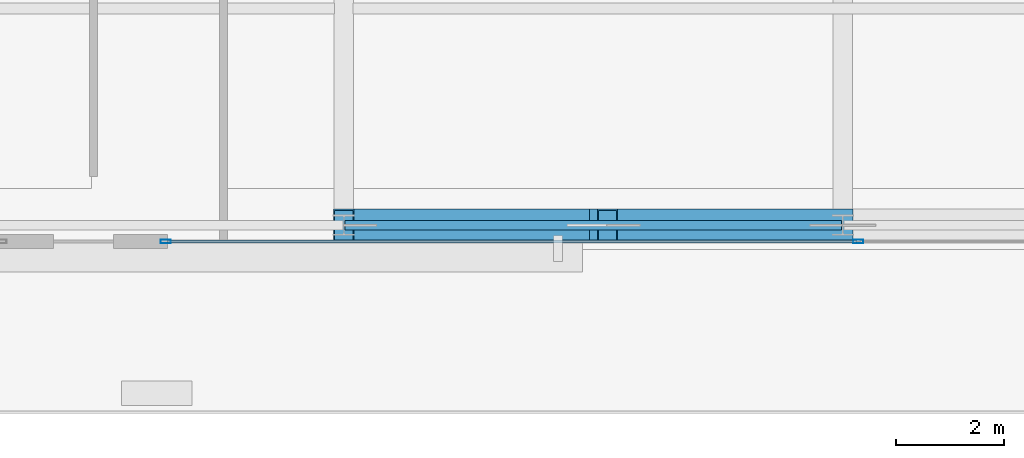
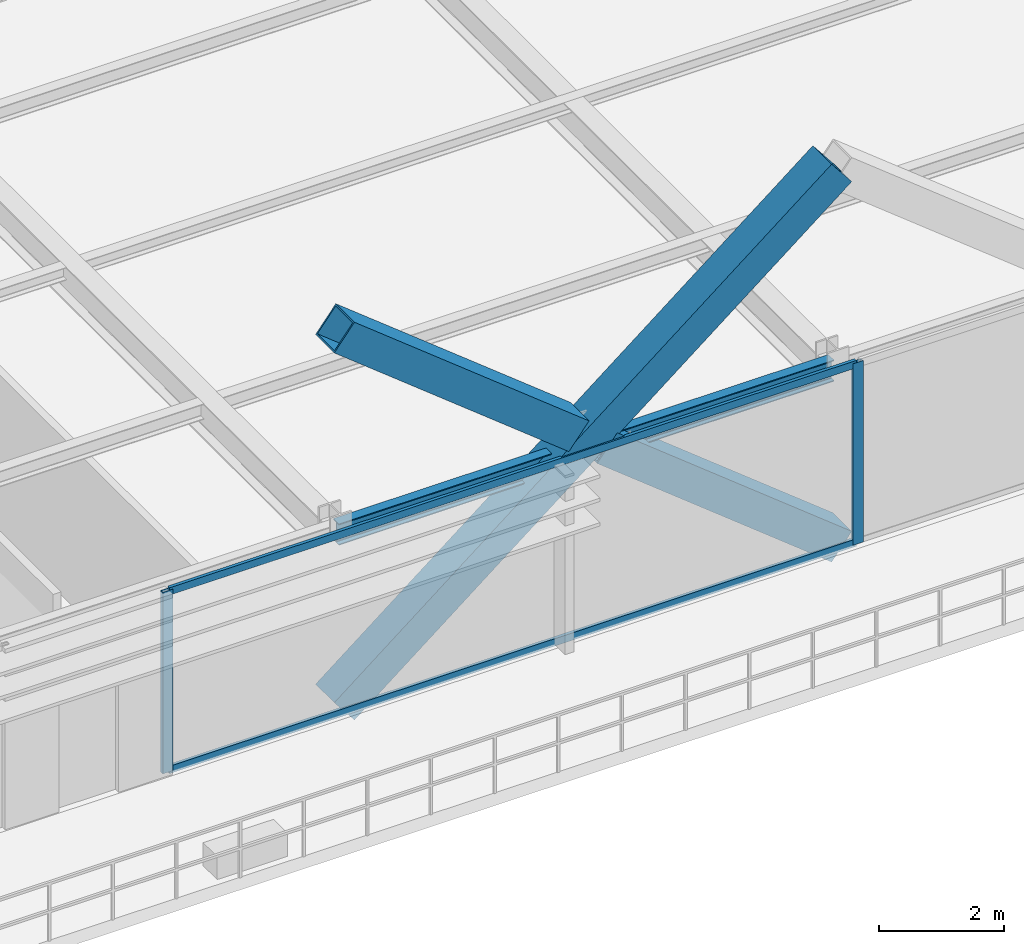
# One storey, part 6 of 35: 7 members, 1 beam, 1 element without a shape of its own.
"""IFC4 building model written with IfcOpenShell, lengths in metres."""

from ifc_helpers import new_model, si_unit, direction, frame, origin, origin_2d, place, context, subcontext, project, spatial, hollow_rectangle, i_section, extrude, source, transform, mapped, material, layer, layer_set, material_profile, profile_set, type_object, type_shapes, element, aggregate, save


model = new_model("IFC4")

# Units and contexts
model_context = context("Model", 3, precision=1e-05, world=origin(), true_north=direction((0.0, 1.0)))
body_context = subcontext(model_context, "Body", "Model", "MODEL_VIEW")
ifc_project = project(units=[si_unit("LENGTHUNIT", "METRE"), si_unit("AREAUNIT", "SQUARE_METRE"), si_unit("VOLUMEUNIT", "CUBIC_METRE"), si_unit("PLANEANGLEUNIT", "RADIAN"), si_unit("MASSUNIT", "GRAM", prefix="KILO")], contexts=[model_context])

# Site, building, storey
site_placement = place(None, origin())
site = spatial("IfcSite", under=ifc_project, at=site_placement, CompositionType="ELEMENT")
building_placement = place(site_placement, origin())
building = spatial("IfcBuilding", under=site, at=building_placement, Name="Varnel Quay Broadcast Tower", CompositionType="ELEMENT")
storey_placement = place(building_placement, frame((0.0, 0.0, 87.0)))
storey = spatial("IfcBuildingStorey", under=building, at=storey_placement, Name="L20", CompositionType="ELEMENT", Elevation=87.0)

# Beam
ifc_material_1 = material(Name="Structural Steel CSA G40.21 350W", Category="steel")
ifc_material_profile_1 = material_profile(ifc_material_1, i_section(OverallWidth=0.180908203125, OverallDepth=0.4169921875, WebThickness=0.010986328125, FlangeThickness=0.018310546875, FilletRadius=0.011962890625, at=origin_2d()), Name="W410X85")
ifc_profile_set_1 = profile_set([ifc_material_profile_1], Name="Structural Steel CSA G40.21 350W")
beam_type = type_object("IfcBeamType", Name="Beam_W410X85", PredefinedType="SPANDREL", material=ifc_profile_set_1)
shared_shape_1 = source(origin(), body_context, "Body", "SweptSolid", [
    extrude(i_section(OverallWidth=0.180908203125, OverallDepth=0.4169921875, WebThickness=0.010986328125, FlangeThickness=0.018310546875, FilletRadius=0.011962890625, at=origin_2d()), origin(), (0.0, 0.0, 1.0), 9.159912109375),
])
type_shapes(beam_type, [shared_shape_1])
beam_placement = place(storey_placement, frame((24.820068359375, 4.64990234375, 3.341552734375), z_axis=(1.0, 0.0, 0.0), x_axis=(0.0, 1.0, 0.0)))
element("IfcBeam", 1, at=beam_placement, inside=storey, type_object=beam_type, Name="L20 South Spandrel TC-S2-TC-S3", PredefinedType="SPANDREL", context=body_context, shape_type="MappedRepresentation", body=[
    mapped(shared_shape_1, transform((0.0, 0.0, 0.0), x_axis=(1.0, 0.0, 0.0), y_axis=(0.0, 1.0, 0.0), z_axis=(0.0, 0.0, 1.0), scale=1.0)),
])

# Members
ifc_material_2 = material(Name="Structural Steel CSA G40.21 350WT", Category="steel")
ifc_material_profile_2 = material_profile(ifc_material_2, hollow_rectangle(XDim=0.60009765625, YDim=0.60009765625, WallThickness=0.028076171875, at=origin_2d()), Name="BOX600X600X28")
ifc_profile_set_2 = profile_set([ifc_material_profile_2], Name="Structural Steel CSA G40.21 350WT")
member_type_1 = type_object("IfcMemberType", Name="Brace_BOX600X600X28", PredefinedType="BRACE", material=ifc_profile_set_2)
shared_shape_2 = source(origin(), body_context, "Body", "SweptSolid", [
    extrude(hollow_rectangle(XDim=0.60009765625, YDim=0.60009765625, WallThickness=0.028076171875, at=origin_2d()), origin(), (0.0, 0.0, 1.0), 11.75048828125),
])
member_1_placement = place(storey_placement, frame((24.800048828125, 4.64990234375, 0.02001953125), z_axis=(0.782936125262, 0.0, 0.622102100751), x_axis=(0.0, 1.0, 0.0)))
element("IfcMember", 2, at=member_1_placement, inside=storey, type_object=member_type_1, Name="Zone 2 Mega-Brace S-C1T1 Continuous Diag A", PredefinedType="BRACE", context=body_context, shape_type="MappedRepresentation", body=[
    mapped(shared_shape_2, transform((0.0, 0.0, 0.0), x_axis=(1.0, 0.0, 0.0), y_axis=(0.0, 1.0, 0.0), z_axis=(0.0, 0.0, 1.0), scale=1.0)),
])
shared_shape_3 = source(origin(), body_context, "Body", "SweptSolid", [
    extrude(hollow_rectangle(XDim=0.60009765625, YDim=0.60009765625, WallThickness=0.028076171875, at=origin_2d()), origin(), (0.0, 0.0, 1.0), 5.542236328125),
])
member_2_placement = place(storey_placement, frame((34.0, 4.64990234375, 0.02001953125), z_axis=(-0.782953081891, 0.0, 0.622080759675), x_axis=(0.0, -1.0, 0.0)))
element("IfcMember", 3, at=member_2_placement, inside=storey, type_object=member_type_1, Name="Zone 2 Mega-Brace S-C1T1 Split Diag B1", PredefinedType="BRACE", context=body_context, shape_type="MappedRepresentation", body=[
    mapped(shared_shape_3, transform((0.0, 0.0, 0.0), x_axis=(1.0, 0.0, 0.0), y_axis=(0.0, 1.0, 0.0), z_axis=(0.0, 0.0, 1.0), scale=1.0)),
])
shared_shape_4 = source(origin(), body_context, "Body", "SweptSolid", [
    extrude(hollow_rectangle(XDim=0.60009765625, YDim=0.60009765625, WallThickness=0.028076171875, at=origin_2d()), origin(), (0.0, 0.0, 1.0), 5.54248046875),
])
type_shapes(member_type_1, [shared_shape_2, shared_shape_3, shared_shape_4])
member_3_placement = place(storey_placement, frame((29.139404296875, 4.64990234375, 3.882080078125), z_axis=(-0.782931626788, 0.0, 0.622107762188), x_axis=(0.0, -1.0, 0.0)))
element("IfcMember", 4, at=member_3_placement, inside=storey, type_object=member_type_1, Name="Zone 2 Mega-Brace S-C1T1 Split Diag B2", PredefinedType="BRACE", context=body_context, shape_type="MappedRepresentation", body=[
    mapped(shared_shape_4, transform((0.0, 0.0, 0.0), x_axis=(1.0, 0.0, 0.0), y_axis=(0.0, 1.0, 0.0), z_axis=(0.0, 0.0, 1.0), scale=1.0)),
])

# Curtain wall, members
ifc_material_3 = material(Name="Anodised Bronze Aluminium 6063-T6", Category="aluminium")
ifc_layer = layer(ifc_material_3, 0.18994140625, Name="Anodised Bronze Aluminium 6063-T6")
ifc_layer_set = layer_set([ifc_layer], Name="Anodised Bronze Aluminium 6063-T6")
curtain_wall_type = type_object("IfcCurtainWallType", Name="CW_LowerTower", PredefinedType="NOTDEFINED", material=ifc_layer_set)
curtain_wall_placement = place(storey_placement, origin())
curtain_wall = element("IfcCurtainWall", 5, at=curtain_wall_placement, inside=storey, type_object=curtain_wall_type, Name="L20 South Unitised Curtain Wall 2", PredefinedType="NOTDEFINED")
ifc_material_profile_3 = material_profile(ifc_material_3, hollow_rectangle(XDim=0.070068359375, YDim=0.18994140625, WallThickness=0.00390625, at=origin_2d()), Name="ALU70X190X4")
ifc_profile_set_3 = profile_set([ifc_material_profile_3], Name="Anodised Bronze Aluminium 6063-T6")
member_type_2 = type_object("IfcMemberType", Name="Mull_CWS-02", PredefinedType="MULLION", material=ifc_profile_set_3)
shared_shape_5 = source(origin(), body_context, "Body", "SweptSolid", [
    extrude(hollow_rectangle(XDim=0.070068359375, YDim=0.18994140625, WallThickness=0.00390625, at=origin_2d()), origin(), (0.0, 0.0, 1.0), 3.550048828125),
])
type_shapes(member_type_2, [shared_shape_5])
member_4_placement = place(storey_placement, frame((21.514892578125, 4.35009765625, 0.0), z_axis=(0.0, 0.0, 1.0), x_axis=(0.0, 1.0, 0.0)))
member_4 = element("IfcMember", 6, at=member_4_placement, type_object=member_type_2, Name="CWS-02 mullion 1", PredefinedType="MULLION", context=body_context, shape_type="MappedRepresentation", body=[
    mapped(shared_shape_5, transform((0.0, 0.0, 0.0), x_axis=(1.0, 0.0, 0.0), y_axis=(0.0, 1.0, 0.0), z_axis=(0.0, 0.0, 1.0), scale=1.0)),
])
member_5_placement = place(storey_placement, frame((34.28662109375, 4.35009765625, 0.0), z_axis=(0.0, 0.0, 1.0), x_axis=(0.0, 1.0, 0.0)))
member_5 = element("IfcMember", 7, at=member_5_placement, type_object=member_type_2, Name="CWS-02 mullion 2", PredefinedType="MULLION", context=body_context, shape_type="MappedRepresentation", body=[
    mapped(shared_shape_5, transform((0.0, 0.0, 0.0), x_axis=(1.0, 0.0, 0.0), y_axis=(0.0, 1.0, 0.0), z_axis=(0.0, 0.0, 1.0), scale=1.0)),
])
ifc_material_profile_4 = material_profile(ifc_material_3, hollow_rectangle(XDim=0.06005859375, YDim=0.14501953125, WallThickness=0.00341796875, at=origin_2d()), Name="ALU60X145X3.5")
ifc_profile_set_4 = profile_set([ifc_material_profile_4], Name="Anodised Bronze Aluminium 6063-T6")
member_type_3 = type_object("IfcMemberType", Name="Tran_CWS-02", PredefinedType="USERDEFINED", material=ifc_profile_set_4)
shared_shape_6 = source(origin(), body_context, "Body", "SweptSolid", [
    extrude(hollow_rectangle(XDim=0.06005859375, YDim=0.14501953125, WallThickness=0.00341796875, at=origin_2d()), origin(), (0.0, 0.0, 1.0), 12.70166015625),
])
type_shapes(member_type_3, [shared_shape_6])
member_6_placement = place(storey_placement, frame((21.550048828125, 4.35009765625, 0.030029296875), z_axis=(1.0, 0.0, 0.0), x_axis=(0.0, 1.0, 0.0)))
member_6 = element("IfcMember", 8, at=member_6_placement, type_object=member_type_3, Name="CWS-02 transom 1.1", ObjectType="TRANSOM", PredefinedType="USERDEFINED", context=body_context, shape_type="MappedRepresentation", body=[
    mapped(shared_shape_6, transform((0.0, 0.0, 0.0), x_axis=(1.0, 0.0, 0.0), y_axis=(0.0, 1.0, 0.0), z_axis=(0.0, 0.0, 1.0), scale=1.0)),
])
member_7_placement = place(storey_placement, frame((21.550048828125, 4.35009765625, 3.52001953125), z_axis=(1.0, 0.0, 0.0), x_axis=(0.0, 1.0, 0.0)))
member_7 = element("IfcMember", 9, at=member_7_placement, type_object=member_type_3, Name="CWS-02 transom 1.2", ObjectType="TRANSOM", PredefinedType="USERDEFINED", context=body_context, shape_type="MappedRepresentation", body=[
    mapped(shared_shape_6, transform((0.0, 0.0, 0.0), x_axis=(1.0, 0.0, 0.0), y_axis=(0.0, 1.0, 0.0), z_axis=(0.0, 0.0, 1.0), scale=1.0)),
])
aggregate(curtain_wall, [member_4, member_5, member_6, member_7])

save(model, "model.ifc")
